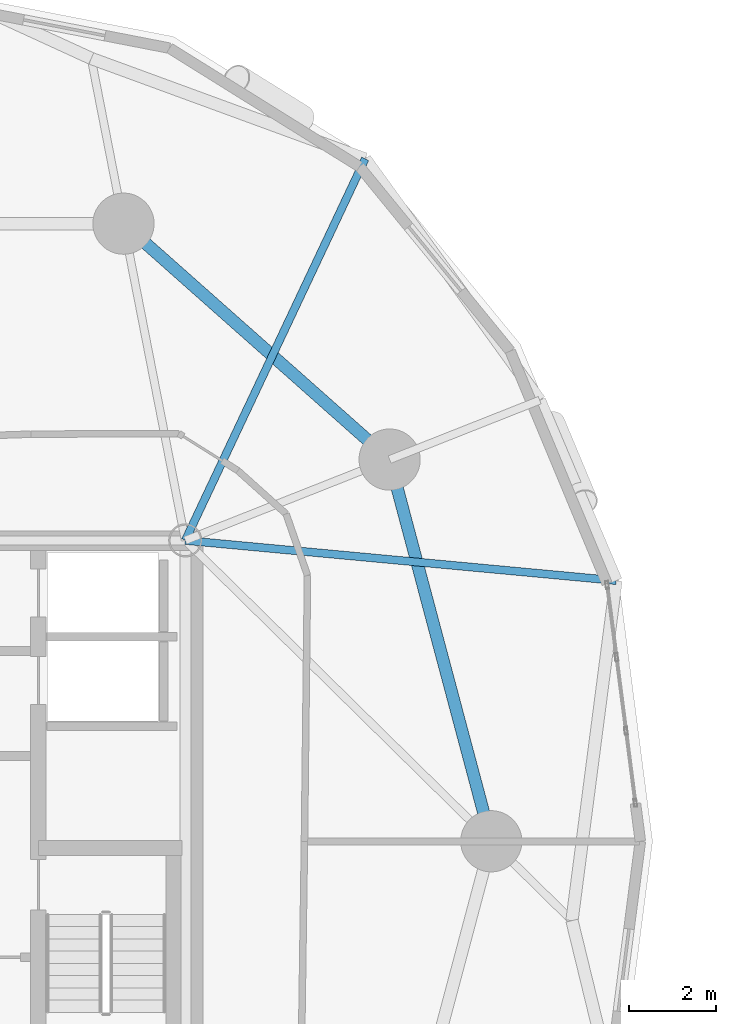
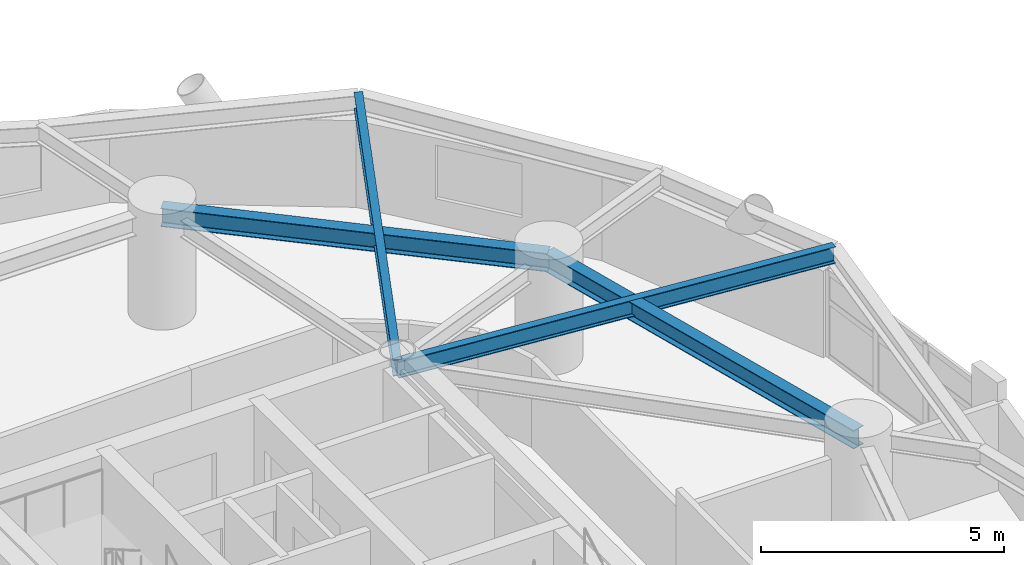
# One storey, part 3 of 17: 4 beams.
"""IFC4 building model written with IfcOpenShell, lengths in metres."""

from ifc_helpers import new_model, si_unit, direction, frame, origin, origin_2d, place, context, subcontext, project, spatial, i_section, extrude, material, material_profile, profile_set, type_object, element, save


model = new_model("IFC4")

# Units and contexts
model_context = context("Model", 3, precision=1e-05, world=origin(), true_north=direction((0.0, 1.0)))
body_context = subcontext(model_context, "Body", "Model", "MODEL_VIEW")
ifc_project = project(units=[si_unit("LENGTHUNIT", "METRE"), si_unit("AREAUNIT", "SQUARE_METRE"), si_unit("VOLUMEUNIT", "CUBIC_METRE"), si_unit("PLANEANGLEUNIT", "RADIAN"), si_unit("MASSUNIT", "GRAM", prefix="KILO")], contexts=[model_context])

# Site, building, storey
site_placement = place(None, origin())
site = spatial("IfcSite", under=ifc_project, at=site_placement, CompositionType="ELEMENT")
building_placement = place(site_placement, origin())
building = spatial("IfcBuilding", under=site, at=building_placement, Name="Cununo Teusaquillo Station Towers", CompositionType="ELEMENT")
storey_placement = place(building_placement, frame((0.0, 0.0, 70.14990234375)))
storey = spatial("IfcBuildingStorey", under=building, at=storey_placement, Name="L21", CompositionType="ELEMENT", Elevation=70.14990234375)

# Beams
ifc_material_1 = material(Name="Steel ASTM A572 Grade 50", Category="steel")
ifc_material_profile_1 = material_profile(ifc_material_1, i_section(OverallWidth=0.180908203125, OverallDepth=0.4169921875, WebThickness=0.010986328125, FlangeThickness=0.018310546875, FilletRadius=0.012939453125, at=origin_2d()), Name="W16X57")
ifc_profile_set_1 = profile_set([ifc_material_profile_1], Name="Steel ASTM A572 Grade 50")
beam_type_1 = type_object("IfcBeamType", Name="BM-JOIST-1", PredefinedType="JOIST", material=ifc_profile_set_1)
beam_1_placement = place(storey_placement, frame((21.675048828125, 31.3798828125, 2.461669921875), z_axis=(0.995678537907, -0.09286683558, 0.0), x_axis=(0.09286683558, 0.995678537907, 0.0)))
element("IfcBeam", 1, at=beam_1_placement, inside=storey, type_object=beam_type_1, Name="L21 Tower A Radial Spandrel Joist V01", PredefinedType="JOIST", context=body_context, shape_type="SweptSolid", body=[
    extrude(i_section(OverallWidth=0.180908203125, OverallDepth=0.4169921875, WebThickness=0.010986328125, FlangeThickness=0.018310546875, FilletRadius=0.012939453125, at=origin_2d()), origin(), (0.0, 0.0, 1.0), 9.895263671875),
])
beam_2_placement = place(storey_placement, frame((21.675048828125, 31.3798828125, 2.461669921875), z_axis=(0.426319838016, 0.904572493344, 0.0), x_axis=(-0.904572493344, 0.426319838016, 0.0)))
element("IfcBeam", 2, at=beam_2_placement, inside=storey, type_object=beam_type_1, Name="L21 Tower A Radial Spandrel Joist V03", PredefinedType="JOIST", context=body_context, shape_type="SweptSolid", body=[
    extrude(i_section(OverallWidth=0.180908203125, OverallDepth=0.4169921875, WebThickness=0.010986328125, FlangeThickness=0.018310546875, FilletRadius=0.012939453125, at=origin_2d()), origin(), (0.0, 0.0, 1.0), 9.646728515625),
])
ifc_material_2 = material(Name="Steel ASTM A572 Grade 50", Category="steel")
ifc_material_profile_2 = material_profile(ifc_material_2, i_section(OverallWidth=0.280029296875, OverallDepth=0.462890625, WebThickness=0.0107421875, FlangeThickness=0.017333984375, FilletRadius=0.013916015625, at=origin_2d()), Name="W18X76")
ifc_profile_set_2 = profile_set([ifc_material_profile_2], Name="Steel ASTM A572 Grade 50")
beam_type_2 = type_object("IfcBeamType", Name="BM-RING-Z2", PredefinedType="SPANDREL", material=ifc_profile_set_2)
beam_3_placement = place(storey_placement, frame((28.672119140625, 24.5, 2.4384765625), z_axis=(-0.257363196347, 0.966314744359, 0.0), x_axis=(-0.966314744359, -0.257363196347, 0.0)))
element("IfcBeam", 3, at=beam_3_placement, inside=storey, type_object=beam_type_2, Name="L21 Tower A Structural Column Ring Girder 01", PredefinedType="SPANDREL", context=body_context, shape_type="SweptSolid", body=[
    extrude(i_section(OverallWidth=0.280029296875, OverallDepth=0.462890625, WebThickness=0.0107421875, FlangeThickness=0.017333984375, FilletRadius=0.013916015625, at=origin_2d()), origin(), (0.0, 0.0, 1.0), 9.03271484375),
])
beam_4_placement = place(storey_placement, frame((26.347412109375, 33.228515625, 2.4384765625), z_axis=(-0.74832120039, 0.66333655187, 0.0), x_axis=(-0.66333655187, -0.74832120039, 0.0)))
element("IfcBeam", 4, at=beam_4_placement, inside=storey, type_object=beam_type_2, Name="L21 Tower A Structural Column Ring Girder 02", PredefinedType="SPANDREL", context=body_context, shape_type="SweptSolid", body=[
    extrude(i_section(OverallWidth=0.280029296875, OverallDepth=0.462890625, WebThickness=0.0107421875, FlangeThickness=0.017333984375, FilletRadius=0.013916015625, at=origin_2d()), origin(), (0.0, 0.0, 1.0), 8.1328125),
])

save(model, "model.ifc")
